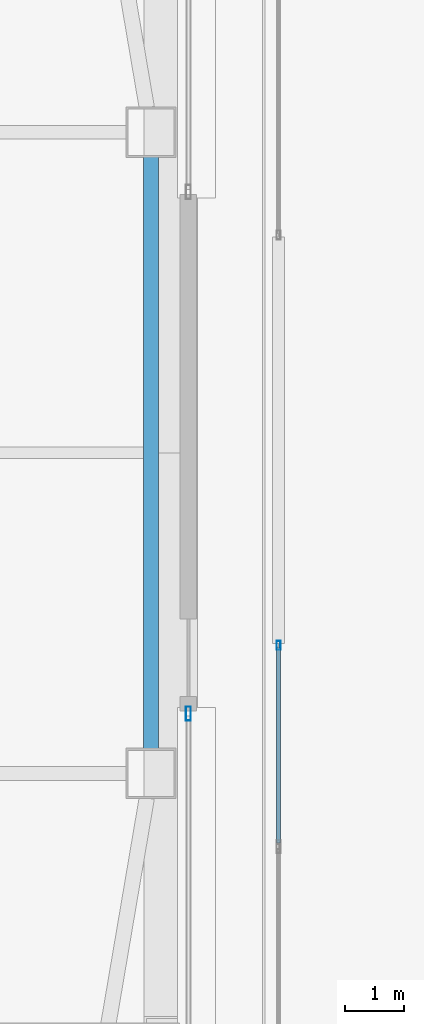
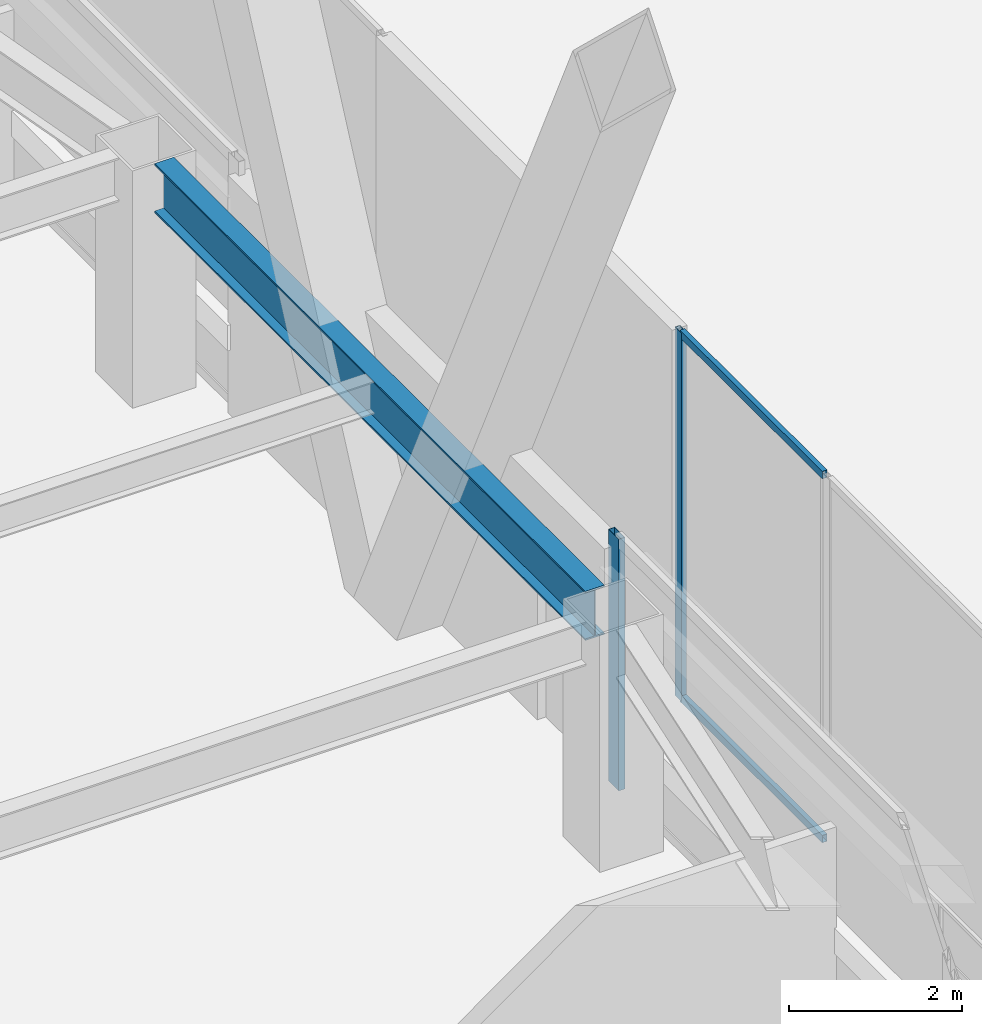
# One storey, part 28 of 83: 4 members, 1 beam, 2 elements without a shape of their own.
"""IFC4 building model written with IfcOpenShell, lengths in metres."""

from ifc_helpers import new_model, si_unit, direction, frame, origin, origin_2d, place, context, subcontext, project, spatial, hollow_rectangle, i_section, extrude, material, material_profile, profile_set, type_object, element, aggregate, save


model = new_model("IFC4")

# Units and contexts
model_context = context("Model", 3, precision=1e-05, world=origin(), true_north=direction((0.0, 1.0)))
body_context = subcontext(model_context, "Body", "Model", "MODEL_VIEW")
ifc_project = project(units=[si_unit("LENGTHUNIT", "METRE"), si_unit("AREAUNIT", "SQUARE_METRE"), si_unit("VOLUMEUNIT", "CUBIC_METRE"), si_unit("PLANEANGLEUNIT", "RADIAN"), si_unit("MASSUNIT", "GRAM", prefix="KILO")], contexts=[model_context])

# Site, building, storey
site_placement = place(None, origin())
site = spatial("IfcSite", under=ifc_project, at=site_placement, CompositionType="ELEMENT")
building_placement = place(site_placement, origin())
building = spatial("IfcBuilding", under=site, at=building_placement, Name="Tashvorn Skyway Center", CompositionType="ELEMENT")
storey_placement = place(building_placement, frame((0.0, 0.0, 24.60009765625)))
storey = spatial("IfcBuildingStorey", under=building, at=storey_placement, Name="L05", CompositionType="ELEMENT", Elevation=24.60009765625)

# Beam
ifc_material_1 = material(Name="Steel ASTM A992 Grade 50", Category="steel")
ifc_material_profile_1 = material_profile(ifc_material_1, i_section(OverallWidth=0.256103515625, OverallDepth=0.693115234375, WebThickness=0.014404296875, FlangeThickness=0.023681640625, at=origin_2d()), Name="W27X114")
ifc_profile_set_1 = profile_set([ifc_material_profile_1], Name="Steel ASTM A992 Grade 50")
beam_type = type_object("IfcBeamType", Name="BM-SPANDREL-W27X114", PredefinedType="SPANDREL", material=ifc_profile_set_1)
beam_placement = place(storey_placement, frame((64.25, 27.02001953125, 3.00341796875), z_axis=(0.0, 1.0, 0.0), x_axis=(-1.0, 0.0, 0.0)))
element("IfcBeam", 1, at=beam_placement, inside=storey, type_object=beam_type, Name="Tower 1 L05 Spandrel Beam 05", PredefinedType="SPANDREL", context=body_context, shape_type="SweptSolid", body=[
    extrude(i_section(OverallWidth=0.256103515625, OverallDepth=0.693115234375, WebThickness=0.014404296875, FlangeThickness=0.023681640625, at=origin_2d()), origin(), (0.0, 0.0, 1.0), 9.9599609375),
])

# Curtain wall, member
ifc_material_2 = material(Name="Thermally broken bronze-anodized aluminium 6063-T6", Category="aluminium")
curtain_wall_type_1 = type_object("IfcCurtainWallType", Name="CW-CW-SKY", PredefinedType="NOTDEFINED", material=ifc_material_2)
curtain_wall_1_placement = place(storey_placement, origin())
curtain_wall_1 = element("IfcCurtainWall", 2, at=curtain_wall_1_placement, inside=storey, type_object=curtain_wall_type_1, Name="Station Concourse Monitor West Clerestory Curtain Wall Glazing Group 2", PredefinedType="NOTDEFINED")
ifc_material_profile_2 = material_profile(ifc_material_2, hollow_rectangle(XDim=0.06494140625, YDim=0.14990234375, WallThickness=0.00390625, at=origin_2d()), Name="ALU-MULL-65x150")
ifc_profile_set_2 = profile_set([ifc_material_profile_2], Name="Thermally broken bronze-anodized aluminium 6063-T6")
member_type_1 = type_object("IfcMemberType", Name="CWM-CW-SKY", PredefinedType="MULLION", material=ifc_profile_set_2)
member_1_placement = place(storey_placement, frame((66.39990234375, 28.75634765625, 0.0), z_axis=(0.0, 0.0, 1.0), x_axis=(-1.0, 0.0, 0.0)))
member_1 = element("IfcMember", 3, at=member_1_placement, type_object=member_type_1, Name="CW-SKY mullion 2", PredefinedType="MULLION", context=body_context, shape_type="SweptSolid", body=[
    extrude(hollow_rectangle(XDim=0.06494140625, YDim=0.14990234375, WallThickness=0.00390625, at=origin_2d()), origin(), (0.0, 0.0, 1.0), 5.199951171875),
])

curtain_wall_type_2 = type_object("IfcCurtainWallType", Name="CW-CW-Z1", PredefinedType="NOTDEFINED", material=ifc_material_2)
curtain_wall_2_placement = place(storey_placement, origin())
curtain_wall_2 = element("IfcCurtainWall", 4, at=curtain_wall_2_placement, inside=storey, type_object=curtain_wall_type_2, Name="Tower 1 L05 East Curtain Wall R", PredefinedType="NOTDEFINED")
ifc_material_profile_3 = material_profile(ifc_material_2, hollow_rectangle(XDim=0.0849609375, YDim=0.239990234375, WallThickness=0.0048828125, at=origin_2d()), Name="ALU-MULL-85x240")
ifc_profile_set_3 = profile_set([ifc_material_profile_3], Name="Thermally broken bronze-anodized aluminium 6063-T6")
member_type_2 = type_object("IfcMemberType", Name="CWM-CW-Z1", PredefinedType="MULLION", material=ifc_profile_set_3)
member_2_placement = place(storey_placement, frame((64.8798828125, 27.607421875, 0.0), z_axis=(0.0, 0.0, 1.0), x_axis=(1.0, 0.0, 0.0)))
member_2 = element("IfcMember", 5, at=member_2_placement, type_object=member_type_2, Name="CW-Z1 mullion 1", PredefinedType="MULLION", context=body_context, shape_type="SweptSolid", body=[
    extrude(hollow_rectangle(XDim=0.0849609375, YDim=0.239990234375, WallThickness=0.0048828125, at=origin_2d()), origin(), (0.0, 0.0, 1.0), 3.5498046875),
])
aggregate(curtain_wall_2, [member_2])

# Member
ifc_material_profile_4 = material_profile(ifc_material_2, hollow_rectangle(XDim=0.06494140625, YDim=0.10498046875, WallThickness=0.00390625, at=origin_2d()), Name="ALU-TRAN-65x105")
ifc_profile_set_4 = profile_set([ifc_material_profile_4], Name="Thermally broken bronze-anodized aluminium 6063-T6")
member_type_3 = type_object("IfcMemberType", Name="CWT-CW-SKY", PredefinedType="USERDEFINED", material=ifc_profile_set_4)
member_3_placement = place(storey_placement, frame((66.39990234375, 25.431640625, 0.032470703125), z_axis=(0.0, 1.0, 0.0), x_axis=(-1.0, 0.0, 0.0)))
member_3 = element("IfcMember", 6, at=member_3_placement, type_object=member_type_3, Name="CW-SKY transom 1.1", ObjectType="TRANSOM", PredefinedType="USERDEFINED", context=body_context, shape_type="SweptSolid", body=[
    extrude(hollow_rectangle(XDim=0.06494140625, YDim=0.10498046875, WallThickness=0.00390625, at=origin_2d()), origin(), (0.0, 0.0, 1.0), 3.292236328125),
])

member_4_placement = place(storey_placement, frame((66.39990234375, 25.431640625, 5.16748046875), z_axis=(0.0, 1.0, 0.0), x_axis=(-1.0, 0.0, 0.0)))
member_4 = element("IfcMember", 7, at=member_4_placement, type_object=member_type_3, Name="CW-SKY transom 1.2", ObjectType="TRANSOM", PredefinedType="USERDEFINED", context=body_context, shape_type="SweptSolid", body=[
    extrude(hollow_rectangle(XDim=0.06494140625, YDim=0.10498046875, WallThickness=0.00390625, at=origin_2d()), origin(), (0.0, 0.0, 1.0), 3.292236328125),
])

aggregate(curtain_wall_1, [member_1, member_3, member_4])

save(model, "model.ifc")
